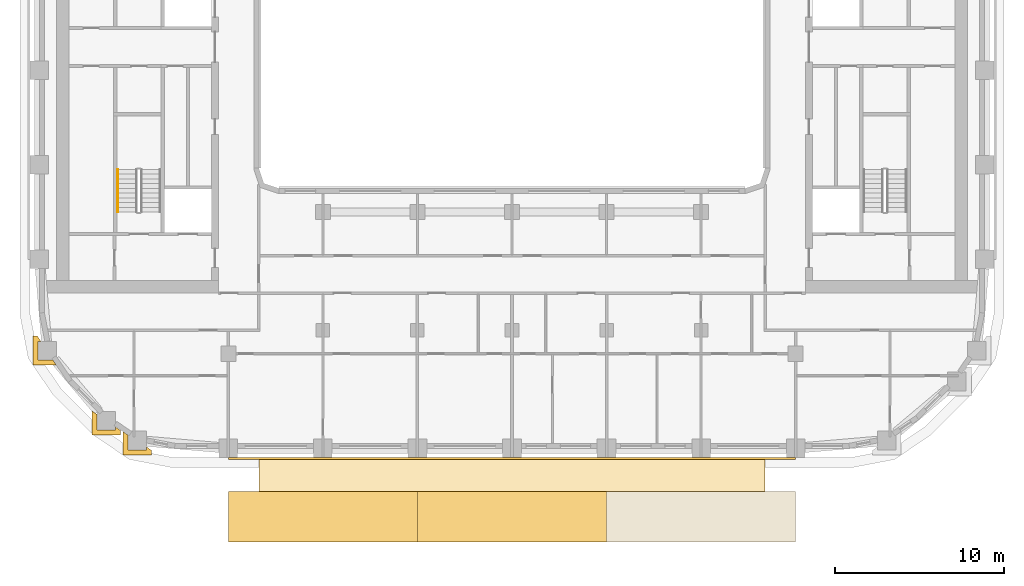
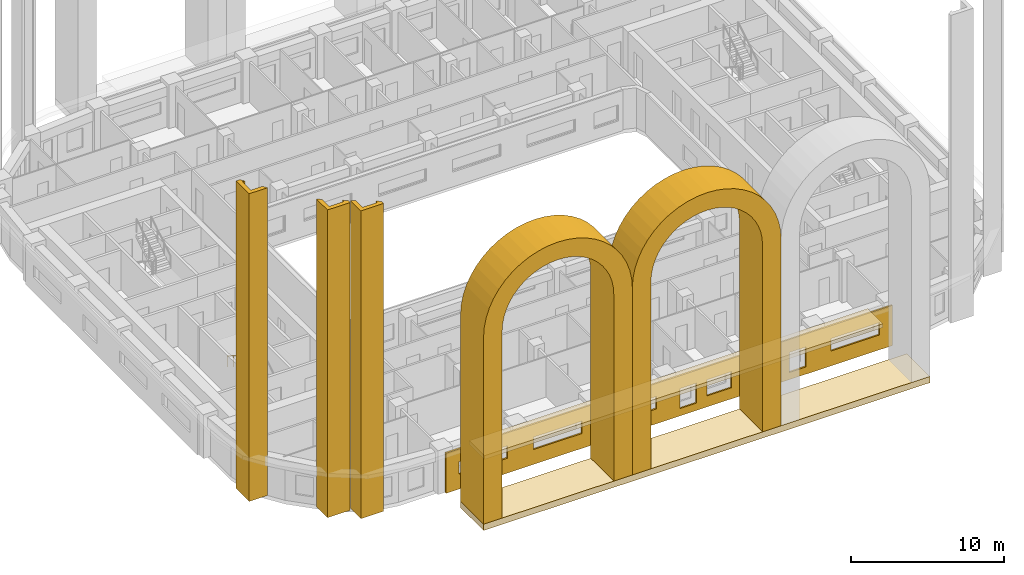
# One storey, part 11 of 18: 8 coverings, 1 railing.
"""IFC4 building model written with IfcOpenShell, lengths in metres."""

from ifc_helpers import new_model, si_unit, direction, frame, origin, origin_2d, place, context, subcontext, project, spatial, polyline, circle, outline, extrude, material, layer, layer_set, type_object, element, save


model = new_model("IFC4")

# Units and contexts
model_context = context("Model", 3, precision=1e-05, world=origin(), true_north=direction((0.0, 1.0)))
body_context = subcontext(model_context, "Body", "Model", "MODEL_VIEW")
ifc_project = project(units=[si_unit("LENGTHUNIT", "METRE"), si_unit("AREAUNIT", "SQUARE_METRE"), si_unit("VOLUMEUNIT", "CUBIC_METRE"), si_unit("PLANEANGLEUNIT", "RADIAN"), si_unit("MASSUNIT", "GRAM", prefix="KILO")], contexts=[model_context])

# Site, building, storey
site_placement = place(None, origin())
site = spatial("IfcSite", under=ifc_project, at=site_placement, CompositionType="ELEMENT")
building_placement = place(site_placement, origin())
building = spatial("IfcBuilding", under=site, at=building_placement, Name="Kiln Ring Residences", CompositionType="ELEMENT")
storey_placement = place(building_placement, frame((0.0, 0.0, 136.10009765625)))
storey = spatial("IfcBuildingStorey", under=building, at=storey_placement, Name="L34", CompositionType="ELEMENT", Elevation=136.10009765625)

# Coverings
ifc_material_1 = material(Name="Brick masonry, dark clay brick", Category="masonry")
ifc_layer_1 = layer(ifc_material_1, 0.5)
ifc_layer_set_1 = layer_set([ifc_layer_1], Name="ARCADE PLINTH 500")
covering_type_1 = type_object("IfcCoveringType", Name="ARCADE PLINTH 500", PredefinedType="CLADDING", material=ifc_layer_set_1)
placement = place(storey_placement, origin())
element("IfcCovering", 1, at=placement, inside=storey, type_object=covering_type_1, Name="ARCADE PLINTH Z3 S", PredefinedType="CLADDING", context=body_context, shape_type="SweptSolid", body=[
    extrude(outline(polyline([(-16.800048828125, -27.949951171875), (16.800048828125, -27.949951171875), (16.800048828125, -24.949951171875), (-16.800048828125, -24.949951171875), (-16.800048828125, -27.949951171875)])), origin(), (0.0, 0.0, 1.0), 0.5),
])
ifc_material_2 = material(Name="Brick masonry, dark clay brick", Category="masonry")
ifc_layer_2 = layer(ifc_material_2, 1.39990234375)
ifc_layer_set_2 = layer_set([ifc_layer_2], Name="ARCH SURROUND 3000")
covering_type_2 = type_object("IfcCoveringType", Name="ARCH SURROUND 3000", PredefinedType="CLADDING", material=ifc_layer_set_2)
covering_2_placement = place(storey_placement, frame((-5.60009765625, -26.449951171875, 0.5), z_axis=(0.0, 0.0, 1.0), x_axis=(-1.0, 0.0, 0.0)))
element("IfcCovering", 2, at=covering_2_placement, inside=storey, type_object=covering_type_2, Name="ARCH SURROUND Z3 S1.1", PredefinedType="CLADDING", context=body_context, shape_type="SweptSolid", body=[
    extrude(outline(polyline([(11.199951171875, 0.0), (11.199951171875, 14.89990234375), (11.152099609375, 15.630859375), (11.00927734375, 16.349365234375), (10.773681640625, 17.04296875), (10.44970703125, 17.699951171875), (10.042724609375, 18.30908203125), (9.559814453125, 18.859619140625), (9.009033203125, 19.3427734375), (8.39990234375, 19.74951171875), (7.742919921875, 20.073486328125), (7.04931640625, 20.30908203125), (6.330810546875, 20.451904296875), (5.60009765625, 20.5), (4.869140625, 20.451904296875), (4.150634765625, 20.30908203125), (3.45703125, 20.073486328125), (2.800048828125, 19.74951171875), (2.19091796875, 19.3427734375), (1.64013671875, 18.859619140625), (1.1572265625, 18.30908203125), (0.750244140625, 17.699951171875), (0.42626953125, 17.04296875), (0.19091796875, 16.349365234375), (0.0478515625, 15.630859375), (0.0, 14.89990234375), (0.0, 0.0), (1.39990234375, 0.0), (1.39990234375, 14.89990234375), (1.435791015625, 15.447998046875), (1.543212890625, 15.98681640625), (1.7197265625, 16.50732421875), (1.962646484375, 17.0), (2.267822265625, 17.456787109375), (2.630126953125, 17.86962890625), (3.043212890625, 18.23193359375), (3.5, 18.537109375), (3.99267578125, 18.7802734375), (4.512939453125, 18.956787109375), (5.0517578125, 19.06396484375), (5.60009765625, 19.099853515625), (6.148193359375, 19.06396484375), (6.68701171875, 18.956787109375), (7.207275390625, 18.7802734375), (7.699951171875, 18.537109375), (8.15673828125, 18.23193359375), (8.56982421875, 17.86962890625), (8.93212890625, 17.456787109375), (9.2373046875, 17.0), (9.480224609375, 16.50732421875), (9.656982421875, 15.98681640625), (9.76416015625, 15.447998046875), (9.800048828125, 14.89990234375), (9.800048828125, 0.0), (11.199951171875, 0.0)])), frame((0.0, 1.5, 0.0), z_axis=(0.0, -1.0, 0.0), x_axis=(1.0, 0.0, 0.0)), (0.0, 0.0, 1.0), 3.0),
])
covering_3_placement = place(storey_placement, frame((5.60009765625, -26.449951171875, 0.5), z_axis=(0.0, 0.0, 1.0), x_axis=(-1.0, 0.0, 0.0)))
element("IfcCovering", 3, at=covering_3_placement, inside=storey, type_object=covering_type_2, Name="ARCH SURROUND Z3 S1.2", PredefinedType="CLADDING", context=body_context, shape_type="SweptSolid", body=[
    extrude(outline(polyline([(11.199951171875, 0.0), (11.199951171875, 14.89990234375), (11.152099609375, 15.630859375), (11.00927734375, 16.349365234375), (10.773681640625, 17.04296875), (10.44970703125, 17.699951171875), (10.042724609375, 18.30908203125), (9.559814453125, 18.859619140625), (9.009033203125, 19.3427734375), (8.39990234375, 19.74951171875), (7.742919921875, 20.073486328125), (7.04931640625, 20.30908203125), (6.330810546875, 20.451904296875), (5.60009765625, 20.5), (4.869140625, 20.451904296875), (4.150634765625, 20.30908203125), (3.45703125, 20.073486328125), (2.800048828125, 19.74951171875), (2.19091796875, 19.3427734375), (1.64013671875, 18.859619140625), (1.1572265625, 18.30908203125), (0.750244140625, 17.699951171875), (0.42626953125, 17.04296875), (0.19091796875, 16.349365234375), (0.0478515625, 15.630859375), (0.0, 14.89990234375), (0.0, 0.0), (1.39990234375, 0.0), (1.39990234375, 14.89990234375), (1.435791015625, 15.447998046875), (1.543212890625, 15.98681640625), (1.7197265625, 16.50732421875), (1.962646484375, 17.0), (2.267822265625, 17.456787109375), (2.630126953125, 17.86962890625), (3.043212890625, 18.23193359375), (3.5, 18.537109375), (3.99267578125, 18.7802734375), (4.512939453125, 18.956787109375), (5.0517578125, 19.06396484375), (5.60009765625, 19.099853515625), (6.148193359375, 19.06396484375), (6.68701171875, 18.956787109375), (7.207275390625, 18.7802734375), (7.699951171875, 18.537109375), (8.15673828125, 18.23193359375), (8.56982421875, 17.86962890625), (8.93212890625, 17.456787109375), (9.2373046875, 17.0), (9.480224609375, 16.50732421875), (9.656982421875, 15.98681640625), (9.76416015625, 15.447998046875), (9.800048828125, 14.89990234375), (9.800048828125, 0.0), (11.199951171875, 0.0)])), frame((0.0, 1.5, 0.0), z_axis=(0.0, -1.0, 0.0), x_axis=(1.0, 0.0, 0.0)), (0.0, 0.0, 1.0), 3.0),
])

# Railing
ifc_material_3 = material(Name="Stainless steel", Category="steel")
railing_type = type_object("IfcRailingType", Name="CORE-STAIR-HANDRAIL", PredefinedType="HANDRAIL", material=ifc_material_3)
railing_placement = place(storey_placement, frame((-23.35009765625, -5.8798828125, 1.9248046875)))
element("IfcRailing", 4, at=railing_placement, inside=storey, type_object=railing_type, Name="L34 W-STS stair handrail 2", PredefinedType="HANDRAIL", context=body_context, shape_type="SweptSolid", body=[
    extrude(circle(Radius=0.02392578125, at=origin_2d()), frame((0.0, 0.0, 0.8759765625), z_axis=(0.0, -0.847970611238, 0.530043245855), x_axis=(1.0, 0.0, 0.0)), (0.0, 0.0, 1.0), 2.971923828125),
    extrude(circle(Radius=0.02099609375, at=origin_2d()), origin(), (0.0, 0.0, 1.0), 0.851806640625),
    extrude(circle(Radius=0.02099609375, at=origin_2d()), frame((0.0, -0.840087890625, 0.525146484375)), (0.0, 0.0, 1.0), 0.851806640625),
    extrude(circle(Radius=0.02099609375, at=origin_2d()), frame((0.0, -1.679931640625, 1.050048828125)), (0.0, 0.0, 1.0), 0.851806640625),
    extrude(circle(Radius=0.02099609375, at=origin_2d()), frame((0.0, -2.52001953125, 1.5751953125)), (0.0, 0.0, 1.0), 0.851806640625),
])

# Coverings
ifc_material_4 = material(Name="Brick masonry, dark clay brick", Category="masonry")
ifc_layer_3 = layer(ifc_material_4, 0.300048828125)
ifc_layer_set_3 = layer_set([ifc_layer_3], Name="PIER CLADDING 300")
covering_type_3 = type_object("IfcCoveringType", Name="PIER CLADDING 300", PredefinedType="CLADDING", material=ifc_layer_set_3)
element("IfcCovering", 5, at=placement, inside=storey, type_object=covering_type_3, Name="PIER CLADDING L34-L40", PredefinedType="CLADDING", context=body_context, shape_type="SweptSolid", body=[
    extrude(outline(polyline([(-22.7587890625, -22.488037109375), (-22.7587890625, -21.6123046875), (-23.05859375, -21.408447265625), (-23.05859375, -22.7880859375), (-21.358642578125, -22.7880859375), (-21.358642578125, -22.515869140625), (-21.65869140625, -22.31201171875), (-21.65869140625, -22.488037109375), (-22.7587890625, -22.488037109375)])), origin(), (0.0, 0.0, 1.0), 24.5),
])
element("IfcCovering", 6, at=placement, inside=storey, type_object=covering_type_3, Name="PIER CLADDING L34-L40", PredefinedType="CLADDING", context=body_context, shape_type="SweptSolid", body=[
    extrude(outline(polyline([(-28.11572265625, -15.7587890625), (-28.38818359375, -15.7587890625), (-28.38818359375, -17.458740234375), (-27.008544921875, -17.458740234375), (-27.21240234375, -17.15869140625), (-28.088134765625, -17.15869140625), (-28.088134765625, -16.05859375), (-27.911865234375, -16.05859375), (-28.11572265625, -15.7587890625)])), origin(), (0.0, 0.0, 1.0), 24.5),
])
element("IfcCovering", 7, at=placement, inside=storey, type_object=covering_type_3, Name="PIER CLADDING L34-L40", PredefinedType="CLADDING", context=body_context, shape_type="SweptSolid", body=[
    extrude(outline(polyline([(-24.590087890625, -20.385986328125), (-24.89013671875, -20.18212890625), (-24.89013671875, -21.60986328125), (-23.190185546875, -21.60986328125), (-23.190185546875, -21.33740234375), (-23.490234375, -21.133544921875), (-23.490234375, -21.309814453125), (-24.590087890625, -21.309814453125), (-24.590087890625, -20.385986328125)])), origin(), (0.0, 0.0, 1.0), 24.5),
])
ifc_material_5 = material(Name="Brick masonry, dark clay brick", Category="masonry")
ifc_layer_4 = layer(ifc_material_5, 0.1201171875)
ifc_layer_set_4 = layer_set([ifc_layer_4], Name="RAINSCREEN PANEL 120")
covering_type_4 = type_object("IfcCoveringType", Name="RAINSCREEN PANEL 120", PredefinedType="CLADDING", material=ifc_layer_set_4)
covering_7_placement = place(storey_placement, frame((-16.800048828125, -23.010009765625, 0.0), z_axis=(0.0, 0.0, 1.0), x_axis=(1.0, 0.0, 0.0)))
element("IfcCovering", 8, at=covering_7_placement, inside=storey, type_object=covering_type_4, Name="RAINSCREEN L34", PredefinedType="CLADDING", context=body_context, shape_type="SweptSolid", body=[
    extrude(outline(polyline([(0.0, 0.0), (33.60009765625, 0.0), (33.60009765625, 3.199951171875), (0.0, 3.199951171875), (0.0, 0.0)]), holes=[polyline([(17.617431640625, 0.579833984375), (18.857421875, 0.579833984375), (18.857421875, 2.169921875), (17.617431640625, 2.169921875), (17.617431640625, 0.579833984375)]), polyline([(25.842529296875, 0.579833984375), (27.08251953125, 0.579833984375), (27.08251953125, 2.169921875), (25.842529296875, 2.169921875), (25.842529296875, 0.579833984375)]), polyline([(19.642578125, 0.8798828125), (21.482421875, 0.8798828125), (21.482421875, 2.169921875), (19.642578125, 2.169921875), (19.642578125, 0.8798828125)]), polyline([(23.217529296875, 0.8798828125), (25.0576171875, 0.8798828125), (25.0576171875, 2.169921875), (23.217529296875, 2.169921875), (23.217529296875, 0.8798828125)]), polyline([(0.97998046875, 1.179931640625), (4.6201171875, 1.179931640625), (4.6201171875, 2.169921875), (0.97998046875, 2.169921875), (0.97998046875, 1.179931640625)]), polyline([(6.580078125, 1.179931640625), (10.219970703125, 1.179931640625), (10.219970703125, 2.169921875), (6.580078125, 2.169921875), (6.580078125, 1.179931640625)]), polyline([(12.179931640625, 1.179931640625), (15.820068359375, 1.179931640625), (15.820068359375, 2.169921875), (12.179931640625, 2.169921875), (12.179931640625, 1.179931640625)]), polyline([(28.97998046875, 1.179931640625), (32.6201171875, 1.179931640625), (32.6201171875, 2.169921875), (28.97998046875, 2.169921875), (28.97998046875, 1.179931640625)])]), frame((0.0, 0.06005859375, 0.0), z_axis=(0.0, -1.0, 0.0), x_axis=(1.0, 0.0, 0.0)), (0.0, 0.0, 1.0), 0.1201171875),
])
ifc_material_6 = material(Name="Black powder-coated steel", Category="steel")
ifc_layer_5 = layer(ifc_material_6, 0.300048828125)
ifc_layer_set_5 = layer_set([ifc_layer_5], Name="SUNSHADE BAND 2000")
covering_type_5 = type_object("IfcCoveringType", Name="SUNSHADE BAND 2000", PredefinedType="CLADDING", material=ifc_layer_set_5)
covering_8_placement = place(storey_placement, frame((0.0, 0.0, 3.199951171875)))
element("IfcCovering", 9, at=covering_8_placement, inside=storey, type_object=covering_type_5, Name="SUNSHADE BAND L34", PredefinedType="CLADDING", context=body_context, shape_type="SweptSolid", body=[
    extrude(outline(polyline([(-15.0, -24.949951171875), (15.0, -24.949951171875), (15.0, -22.949951171875), (-15.0, -22.949951171875), (-15.0, -24.949951171875)])), origin(), (0.0, 0.0, 1.0), 0.300048828125),
])

save(model, "model.ifc")
